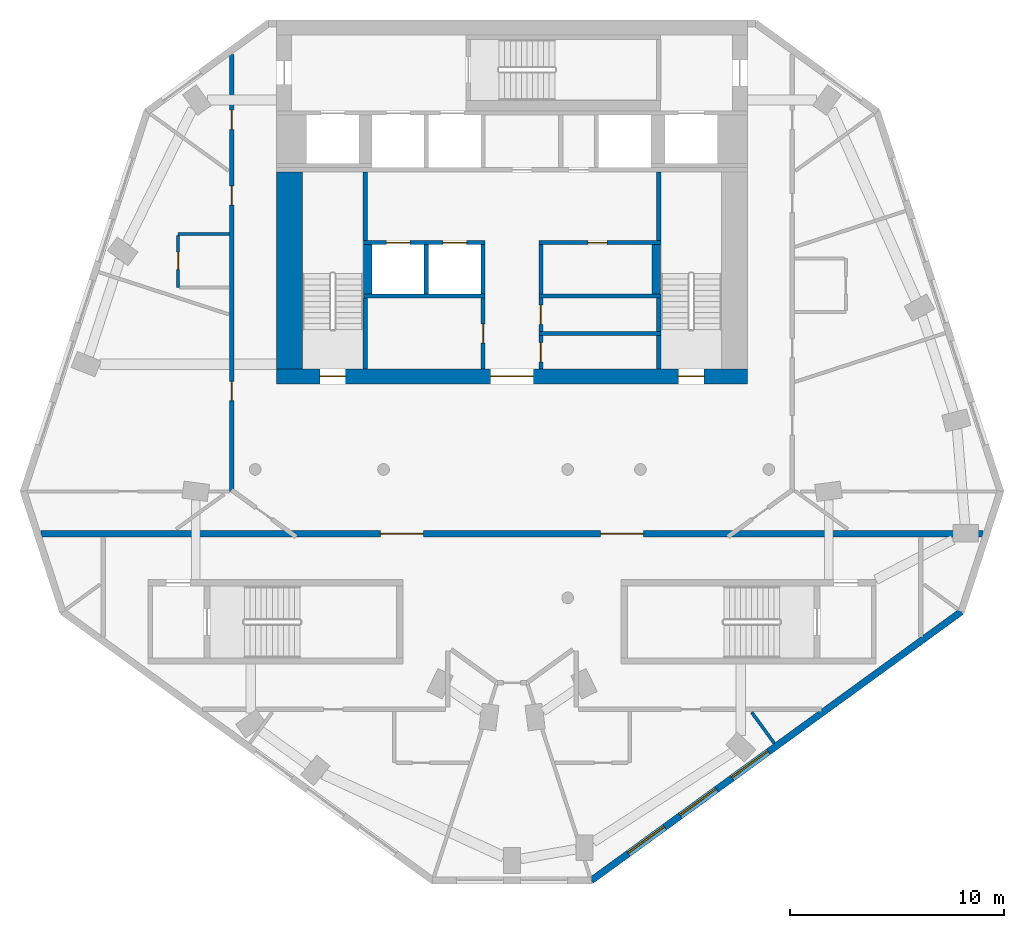
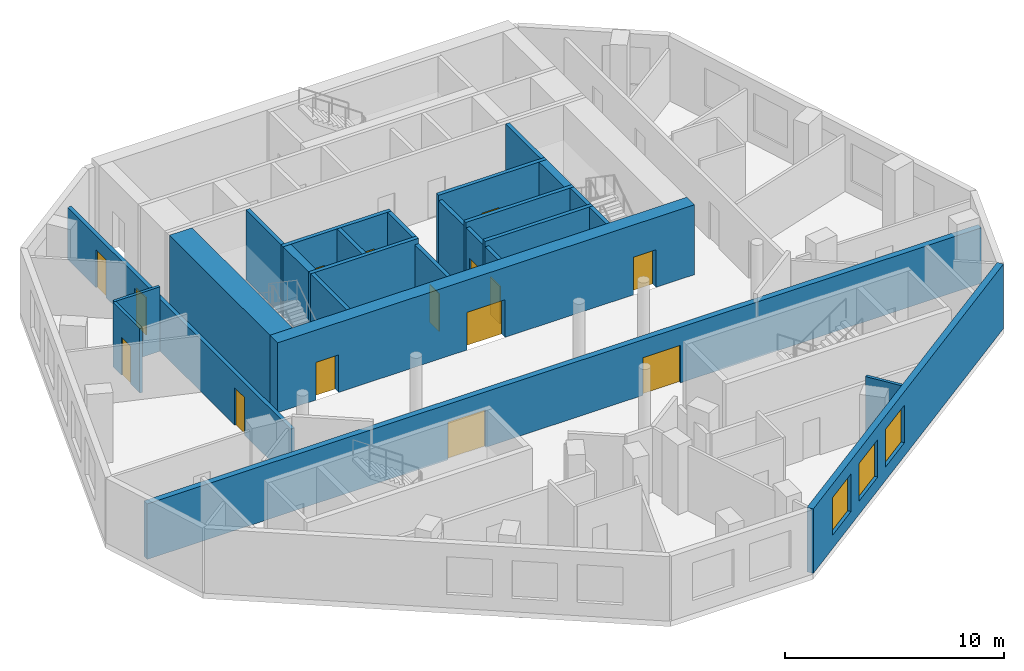
# One storey, part 3 of 8: 26 walls, 15 doors, 3 windows, 18 openings.
"""IFC4 building model written with IfcOpenShell, lengths in metres."""

from ifc_helpers import new_model, si_unit, direction, frame, frame_2d, origin, place, context, subcontext, project, spatial, rectangle, extrude, material, layer, layer_set, type_object, element, fill, save


model = new_model("IFC4")

# Units and contexts
model_context = context("Model", 3, precision=1e-05, world=origin(), true_north=direction((0.0, 1.0)))
body_context = subcontext(model_context, "Body", "Model", "MODEL_VIEW")
ifc_project = project(units=[si_unit("LENGTHUNIT", "METRE"), si_unit("AREAUNIT", "SQUARE_METRE"), si_unit("VOLUMEUNIT", "CUBIC_METRE"), si_unit("PLANEANGLEUNIT", "RADIAN"), si_unit("MASSUNIT", "GRAM", prefix="KILO")], contexts=[model_context])

# Site, building, storey
site_placement = place(None, origin())
site = spatial("IfcSite", under=ifc_project, at=site_placement, CompositionType="ELEMENT")
building_placement = place(site_placement, origin())
building = spatial("IfcBuilding", under=site, at=building_placement, Name="White Candle Pilgrim Tower", CompositionType="ELEMENT")
storey_placement = place(building_placement, frame((0.0, 0.0, 287.300048828125)))
storey = spatial("IfcBuildingStorey", under=building, at=storey_placement, Name="L68", CompositionType="ELEMENT", Elevation=287.300048828125)

# Wall, openings, doors
ifc_material_1 = material(Name="Gypsum board on steel studs", Category="steel")
ifc_layer_1 = layer(ifc_material_1, 0.199951171875)
ifc_layer_set_1 = layer_set([ifc_layer_1], Name="Corridor wall 200 mm EI 45")
wall_type_1 = type_object("IfcWallType", Name="Corridor wall 200 mm EI 45", PredefinedType="PARTITIONING", material=ifc_layer_set_1)
wall_1_placement = place(storey_placement, frame((56.89990234375, 65.97998046875, 0.0), z_axis=(0.0, 0.0, 1.0), x_axis=(0.0, 1.0, 0.0)))
wall_1 = element("IfcWall", 1, at=wall_1_placement, inside=storey, type_object=wall_type_1, Name="WL-L68-P004", PredefinedType="PARTITIONING", context=body_context, shape_type="SweptSolid", body=[
    extrude(rectangle(XDim=20.416259765625, YDim=0.199951171875, at=frame_2d((10.2080078125, 0.0))), origin(), (0.0, 0.0, 1.0), 2.89990234375),
])
opening_1_placement = place(wall_1_placement, frame((4.241455078125, 0.0, 0.0)))
opening_1 = element("IfcOpeningElement", 2, at=opening_1_placement, cuts=wall_1, Name="Opening T21-110", PredefinedType="OPENING", context=body_context, shape_type="SweptSolid", body=[
    extrude(rectangle(XDim=0.89990234375, YDim=2.10009765625, at=frame_2d((0.449951171875, 1.050048828125))), frame((0.0, 0.10986328125, 0.0), z_axis=(0.0, -1.0, 0.0), x_axis=(1.0, 0.0, 0.0)), (0.0, 0.0, 1.0), 0.219970703125),
])
opening_2_placement = place(wall_1_placement, frame((13.373779296875, 0.0, 0.0)))
opening_2 = element("IfcOpeningElement", 3, at=opening_2_placement, cuts=wall_1, Name="Opening T21-111", PredefinedType="OPENING", context=body_context, shape_type="SweptSolid", body=[
    extrude(rectangle(XDim=0.89990234375, YDim=2.10009765625, at=frame_2d((0.449951171875, 1.050048828125))), frame((0.0, 0.10986328125, 0.0), z_axis=(0.0, -1.0, 0.0), x_axis=(1.0, 0.0, 0.0)), (0.0, 0.0, 1.0), 0.219970703125),
])
opening_3_placement = place(wall_1_placement, frame((16.90380859375, 0.0, 0.0)))
opening_3 = element("IfcOpeningElement", 4, at=opening_3_placement, cuts=wall_1, Name="Opening T21-112", PredefinedType="OPENING", context=body_context, shape_type="SweptSolid", body=[
    extrude(rectangle(XDim=0.89990234375, YDim=2.10009765625, at=frame_2d((0.449951171875, 1.050048828125))), frame((0.0, 0.10986328125, 0.0), z_axis=(0.0, -1.0, 0.0), x_axis=(1.0, 0.0, 0.0)), (0.0, 0.0, 1.0), 0.219970703125),
])
ifc_material_2 = material(Name="Steel door leaf", Category="steel")
door_type_1 = type_object("IfcDoorType", Name="Fire door 900 x 2100 EI 30", OperationType="NOTDEFINED", PredefinedType="DOOR", material=ifc_material_2)
door_1_placement = place(opening_1_placement, origin())
door_1 = element("IfcDoor", 5, at=door_1_placement, inside=storey, type_object=door_type_1, Name="Door T21-110", OperationType="SINGLE_SWING_RIGHT", OverallHeight=2.10009765625, OverallWidth=0.89990234375, PredefinedType="DOOR", context=body_context, shape_type="SweptSolid", body=[
    extrude(rectangle(XDim=0.89990234375, YDim=2.10009765625, at=frame_2d((0.449951171875, 1.050048828125))), frame((0.0, 0.02490234375, 0.0), z_axis=(0.0, -1.0, 0.0), x_axis=(1.0, 0.0, 0.0)), (0.0, 0.0, 1.0), 0.050048828125),
])
fill(opening_1, door_1)
door_2_placement = place(opening_2_placement, origin())
door_2 = element("IfcDoor", 6, at=door_2_placement, inside=storey, type_object=door_type_1, Name="Door T21-111", OperationType="SINGLE_SWING_LEFT", OverallHeight=2.10009765625, OverallWidth=0.89990234375, PredefinedType="DOOR", context=body_context, shape_type="SweptSolid", body=[
    extrude(rectangle(XDim=0.89990234375, YDim=2.10009765625, at=frame_2d((0.449951171875, 1.050048828125))), frame((0.0, 0.02490234375, 0.0), z_axis=(0.0, -1.0, 0.0), x_axis=(1.0, 0.0, 0.0)), (0.0, 0.0, 1.0), 0.050048828125),
])
fill(opening_2, door_2)
door_3_placement = place(opening_3_placement, origin())
door_3 = element("IfcDoor", 7, at=door_3_placement, inside=storey, type_object=door_type_1, Name="Door T21-112", OperationType="SINGLE_SWING_RIGHT", OverallHeight=2.10009765625, OverallWidth=0.89990234375, PredefinedType="DOOR", context=body_context, shape_type="SweptSolid", body=[
    extrude(rectangle(XDim=0.89990234375, YDim=2.10009765625, at=frame_2d((0.449951171875, 1.050048828125))), frame((0.0, 0.02490234375, 0.0), z_axis=(0.0, -1.0, 0.0), x_axis=(1.0, 0.0, 0.0)), (0.0, 0.0, 1.0), 0.050048828125),
])
fill(opening_3, door_3)

# Wall, openings, windows
ifc_material_3 = material(Name="Precast concrete C40/50", Category="concrete")
ifc_layer_2 = layer(ifc_material_3, 0.320068359375)
ifc_layer_set_2 = layer_set([ifc_layer_2], Name="Facade wall EW1 precast concrete C40/50 pier wall with timber-lined reveals")
wall_type_2 = type_object("IfcWallType", Name="Facade wall EW1 precast concrete C40/50 pier wall with timber-lined reveals", PredefinedType="SOLIDWALL", material=ifc_layer_set_2)
wall_2_placement = place(storey_placement, frame((73.705078125, 47.7939453125, 0.0), z_axis=(0.0, 0.0, 1.0), x_axis=(0.809019072803, 0.58778239157, 0.0)))
wall_2 = element("IfcWall", 8, at=wall_2_placement, inside=storey, type_object=wall_type_2, Name="Facade wall L68 SE", PredefinedType="SOLIDWALL", context=body_context, shape_type="SweptSolid", body=[
    extrude(rectangle(XDim=21.369873046875, YDim=0.320068359375, at=frame_2d((10.68505859375, 0.0))), origin(), (0.0, 0.0, 1.0), 3.599853515625),
])
opening_4_placement = place(wall_2_placement, frame((2.135009765625, 0.0, 0.75)))
opening_4 = element("IfcOpeningElement", 9, at=opening_4_placement, cuts=wall_2, Name="Opening W3", PredefinedType="OPENING", context=body_context, shape_type="SweptSolid", body=[
    extrude(rectangle(XDim=2.10009765625, YDim=2.10009765625, at=frame_2d((1.050048828125, 1.050048828125))), frame((0.0, 0.169921875, 0.0), z_axis=(0.0, -1.0, 0.0), x_axis=(1.0, 0.0, 0.0)), (0.0, 0.0, 1.0), 0.340087890625),
])
opening_5_placement = place(wall_2_placement, frame((5.135009765625, 0.0, 0.75)))
opening_5 = element("IfcOpeningElement", 10, at=opening_5_placement, cuts=wall_2, Name="Opening W3", PredefinedType="OPENING", context=body_context, shape_type="SweptSolid", body=[
    extrude(rectangle(XDim=2.10009765625, YDim=2.10009765625, at=frame_2d((1.050048828125, 1.050048828125))), frame((0.0, 0.169921875, 0.0), z_axis=(0.0, -1.0, 0.0), x_axis=(1.0, 0.0, 0.0)), (0.0, 0.0, 1.0), 0.340087890625),
])
opening_6_placement = place(wall_2_placement, frame((8.135009765625, 0.0, 0.75)))
opening_6 = element("IfcOpeningElement", 11, at=opening_6_placement, cuts=wall_2, Name="Opening W3", PredefinedType="OPENING", context=body_context, shape_type="SweptSolid", body=[
    extrude(rectangle(XDim=2.10009765625, YDim=2.10009765625, at=frame_2d((1.050048828125, 1.050048828125))), frame((0.0, 0.169921875, 0.0), z_axis=(0.0, -1.0, 0.0), x_axis=(1.0, 0.0, 0.0)), (0.0, 0.0, 1.0), 0.340087890625),
])
ifc_material_4 = material(Name="Timber frame with triple glazing", Category="wood")
window_type = type_object("IfcWindowType", Name="Window W3 2100x2100 timber frame triple glazing", PartitioningType="SINGLE_PANEL", PredefinedType="WINDOW", material=ifc_material_4)
window_1_placement = place(opening_4_placement, origin())
window_1 = element("IfcWindow", 12, at=window_1_placement, inside=storey, type_object=window_type, Name="Window W3 L68 SE 1", OverallHeight=2.10009765625, OverallWidth=2.10009765625, PartitioningType="SINGLE_PANEL", PredefinedType="WINDOW", context=body_context, shape_type="SweptSolid", body=[
    extrude(rectangle(XDim=2.10009765625, YDim=2.10009765625, at=frame_2d((1.050048828125, 1.050048828125))), frame((0.0, 0.070068359375, 0.0), z_axis=(0.0, -1.0, 0.0), x_axis=(1.0, 0.0, 0.0)), (0.0, 0.0, 1.0), 0.06005859375),
])
fill(opening_4, window_1)
window_2_placement = place(opening_5_placement, origin())
window_2 = element("IfcWindow", 13, at=window_2_placement, inside=storey, type_object=window_type, Name="Window W3 L68 SE 2", OverallHeight=2.10009765625, OverallWidth=2.10009765625, PartitioningType="SINGLE_PANEL", PredefinedType="WINDOW", context=body_context, shape_type="SweptSolid", body=[
    extrude(rectangle(XDim=2.10009765625, YDim=2.10009765625, at=frame_2d((1.050048828125, 1.050048828125))), frame((0.0, 0.070068359375, 0.0), z_axis=(0.0, -1.0, 0.0), x_axis=(1.0, 0.0, 0.0)), (0.0, 0.0, 1.0), 0.06005859375),
])
fill(opening_5, window_2)
window_3_placement = place(opening_6_placement, origin())
window_3 = element("IfcWindow", 14, at=window_3_placement, inside=storey, type_object=window_type, Name="Window W3 L68 SE 3", OverallHeight=2.10009765625, OverallWidth=2.10009765625, PartitioningType="SINGLE_PANEL", PredefinedType="WINDOW", context=body_context, shape_type="SweptSolid", body=[
    extrude(rectangle(XDim=2.10009765625, YDim=2.10009765625, at=frame_2d((1.050048828125, 1.050048828125))), frame((0.0, 0.070068359375, 0.0), z_axis=(0.0, -1.0, 0.0), x_axis=(1.0, 0.0, 0.0)), (0.0, 0.0, 1.0), 0.06005859375),
])
fill(opening_6, window_3)

# Wall, openings, doors
ifc_material_5 = material(Name="Aerated concrete block", Category="concrete")
ifc_layer_3 = layer(ifc_material_5, 0.300048828125)
ifc_layer_set_3 = layer_set([ifc_layer_3], Name="Fire wall 300 mm REI 240")
wall_type_3 = type_object("IfcWallType", Name="Fire wall 300 mm REI 240", PredefinedType="PARTITIONING", material=ifc_layer_set_3)
wall_3_placement = place(storey_placement, frame((47.990234375, 64.0, 0.0), z_axis=(0.0, 0.0, 1.0), x_axis=(1.0, 0.0, 0.0)))
wall_3 = element("IfcWall", 15, at=wall_3_placement, inside=storey, type_object=wall_type_3, Name="WL-L68-P001", PredefinedType="PARTITIONING", context=body_context, shape_type="SweptSolid", body=[
    extrude(rectangle(XDim=44.01953125, YDim=0.300048828125, at=frame_2d((22.009765625, 0.0))), origin(), (0.0, 0.0, 1.0), 3.099853515625),
])
opening_7_placement = place(wall_3_placement, frame((15.864501953125, 0.0, 0.0)))
opening_7 = element("IfcOpeningElement", 16, at=opening_7_placement, cuts=wall_3, Name="Opening T21-108", PredefinedType="OPENING", context=body_context, shape_type="SweptSolid", body=[
    extrude(rectangle(XDim=2.0, YDim=2.10009765625, at=frame_2d((1.0, 1.050048828125))), frame((0.0, 0.159912109375, 0.0), z_axis=(0.0, -1.0, 0.0), x_axis=(1.0, 0.0, 0.0)), (0.0, 0.0, 1.0), 0.320068359375),
])
opening_8_placement = place(wall_3_placement, frame((26.1552734375, 0.0, 0.0)))
opening_8 = element("IfcOpeningElement", 17, at=opening_8_placement, cuts=wall_3, Name="Opening T21-109", PredefinedType="OPENING", context=body_context, shape_type="SweptSolid", body=[
    extrude(rectangle(XDim=2.0, YDim=2.10009765625, at=frame_2d((1.0, 1.050048828125))), frame((0.0, 0.159912109375, 0.0), z_axis=(0.0, -1.0, 0.0), x_axis=(1.0, 0.0, 0.0)), (0.0, 0.0, 1.0), 0.320068359375),
])
door_type_2 = type_object("IfcDoorType", Name="Fire door 2000 x 2100 EI 60", OperationType="NOTDEFINED", PredefinedType="DOOR", material=ifc_material_2)
door_4_placement = place(opening_7_placement, origin())
door_4 = element("IfcDoor", 18, at=door_4_placement, inside=storey, type_object=door_type_2, Name="Door T21-108", OperationType="DOUBLE_DOOR_SINGLE_SWING", OverallHeight=2.10009765625, OverallWidth=2.0, PredefinedType="DOOR", context=body_context, shape_type="SweptSolid", body=[
    extrude(rectangle(XDim=2.0, YDim=2.10009765625, at=frame_2d((1.0, 1.050048828125))), frame((0.0, 0.02490234375, 0.0), z_axis=(0.0, -1.0, 0.0), x_axis=(1.0, 0.0, 0.0)), (0.0, 0.0, 1.0), 0.050048828125),
])
fill(opening_7, door_4)
door_5_placement = place(opening_8_placement, origin())
door_5 = element("IfcDoor", 19, at=door_5_placement, inside=storey, type_object=door_type_2, Name="Door T21-109", OperationType="DOUBLE_DOOR_SINGLE_SWING", OverallHeight=2.10009765625, OverallWidth=2.0, PredefinedType="DOOR", context=body_context, shape_type="SweptSolid", body=[
    extrude(rectangle(XDim=2.0, YDim=2.10009765625, at=frame_2d((1.0, 1.050048828125))), frame((0.0, 0.02490234375, 0.0), z_axis=(0.0, -1.0, 0.0), x_axis=(1.0, 0.0, 0.0)), (0.0, 0.0, 1.0), 0.050048828125),
])
fill(opening_8, door_5)

# Wall, opening, door
ifc_layer_4 = layer(ifc_material_1, 0.199951171875)
ifc_layer_set_4 = layer_set([ifc_layer_4], Name="Lobby wall 200 mm EI 60")
wall_type_4 = type_object("IfcWallType", Name="Lobby wall 200 mm EI 60", PredefinedType="PARTITIONING", material=ifc_layer_set_4)
wall_4_placement = place(storey_placement, frame((68.64990234375, 71.699951171875, 0.0), z_axis=(0.0, 0.0, 1.0), x_axis=(0.0, 1.0, 0.0)))
wall_4 = element("IfcWall", 20, at=wall_4_placement, inside=storey, type_object=wall_type_4, Name="WL-L68-C14", PredefinedType="PARTITIONING", context=body_context, shape_type="SweptSolid", body=[
    extrude(rectangle(XDim=3.300048828125, YDim=0.199951171875, at=frame_2d((1.64990234375, 0.0))), origin(), (0.0, 0.0, 1.0), 3.599853515625),
])
opening_9_placement = place(wall_4_placement, frame((1.199951171875, 0.0, 0.0)))
opening_9 = element("IfcOpeningElement", 21, at=opening_9_placement, cuts=wall_4, Name="Opening T21-005", PredefinedType="OPENING", context=body_context, shape_type="SweptSolid", body=[
    extrude(rectangle(XDim=0.89990234375, YDim=2.10009765625, at=frame_2d((0.449951171875, 1.050048828125))), frame((0.0, 0.10986328125, 0.0), z_axis=(0.0, -1.0, 0.0), x_axis=(1.0, 0.0, 0.0)), (0.0, 0.0, 1.0), 0.219970703125),
])
door_6_placement = place(opening_9_placement, origin())
door_6 = element("IfcDoor", 22, at=door_6_placement, inside=storey, type_object=door_type_1, Name="Door T21-005", OperationType="SINGLE_SWING_LEFT", OverallHeight=2.10009765625, OverallWidth=0.89990234375, PredefinedType="DOOR", context=body_context, shape_type="SweptSolid", body=[
    extrude(rectangle(XDim=0.89990234375, YDim=2.10009765625, at=frame_2d((0.449951171875, 1.050048828125))), frame((0.0, 0.02490234375, 0.0), z_axis=(0.0, -1.0, 0.0), x_axis=(1.0, 0.0, 0.0)), (0.0, 0.0, 1.0), 0.050048828125),
])
fill(opening_9, door_6)

wall_5_placement = place(storey_placement, frame((71.35009765625, 71.699951171875, 0.0), z_axis=(0.0, 0.0, 1.0), x_axis=(0.0, 1.0, 0.0)))
wall_5 = element("IfcWall", 23, at=wall_5_placement, inside=storey, type_object=wall_type_4, Name="WL-L68-C15", PredefinedType="PARTITIONING", context=body_context, shape_type="SweptSolid", body=[
    extrude(rectangle(XDim=1.550048828125, YDim=0.199951171875, at=frame_2d((0.77490234375, 0.0))), origin(), (0.0, 0.0, 1.0), 3.599853515625),
])
opening_10_placement = place(wall_5_placement, frame((0.324951171875, 0.0, 0.0)))
opening_10 = element("IfcOpeningElement", 24, at=opening_10_placement, cuts=wall_5, Name="Opening T21-006", PredefinedType="OPENING", context=body_context, shape_type="SweptSolid", body=[
    extrude(rectangle(XDim=0.89990234375, YDim=2.10009765625, at=frame_2d((0.449951171875, 1.050048828125))), frame((0.0, 0.10986328125, 0.0), z_axis=(0.0, -1.0, 0.0), x_axis=(1.0, 0.0, 0.0)), (0.0, 0.0, 1.0), 0.219970703125),
])
door_7_placement = place(opening_10_placement, origin())
door_7 = element("IfcDoor", 25, at=door_7_placement, inside=storey, type_object=door_type_1, Name="Door T21-006", OperationType="SINGLE_SWING_RIGHT", OverallHeight=2.10009765625, OverallWidth=0.89990234375, PredefinedType="DOOR", context=body_context, shape_type="SweptSolid", body=[
    extrude(rectangle(XDim=0.89990234375, YDim=2.10009765625, at=frame_2d((0.449951171875, 1.050048828125))), frame((0.0, 0.02490234375, 0.0), z_axis=(0.0, -1.0, 0.0), x_axis=(1.0, 0.0, 0.0)), (0.0, 0.0, 1.0), 0.050048828125),
])
fill(opening_10, door_7)

wall_6_placement = place(storey_placement, frame((71.35009765625, 73.449951171875, 0.0), z_axis=(0.0, 0.0, 1.0), x_axis=(0.0, 1.0, 0.0)))
wall_6 = element("IfcWall", 26, at=wall_6_placement, inside=storey, type_object=wall_type_4, Name="WL-L68-C19", PredefinedType="PARTITIONING", context=body_context, shape_type="SweptSolid", body=[
    extrude(rectangle(XDim=1.550048828125, YDim=0.199951171875, at=frame_2d((0.77490234375, 0.0))), origin(), (0.0, 0.0, 1.0), 3.599853515625),
])
opening_11_placement = place(wall_6_placement, frame((0.324951171875, 0.0, 0.0)))
opening_11 = element("IfcOpeningElement", 27, at=opening_11_placement, cuts=wall_6, Name="Opening T21-007", PredefinedType="OPENING", context=body_context, shape_type="SweptSolid", body=[
    extrude(rectangle(XDim=0.89990234375, YDim=2.10009765625, at=frame_2d((0.449951171875, 1.050048828125))), frame((0.0, 0.10986328125, 0.0), z_axis=(0.0, -1.0, 0.0), x_axis=(1.0, 0.0, 0.0)), (0.0, 0.0, 1.0), 0.219970703125),
])
door_8_placement = place(opening_11_placement, origin())
door_8 = element("IfcDoor", 28, at=door_8_placement, inside=storey, type_object=door_type_1, Name="Door T21-007", OperationType="SINGLE_SWING_LEFT", OverallHeight=2.10009765625, OverallWidth=0.89990234375, PredefinedType="DOOR", context=body_context, shape_type="SweptSolid", body=[
    extrude(rectangle(XDim=0.89990234375, YDim=2.10009765625, at=frame_2d((0.449951171875, 1.050048828125))), frame((0.0, 0.02490234375, 0.0), z_axis=(0.0, -1.0, 0.0), x_axis=(1.0, 0.0, 0.0)), (0.0, 0.0, 1.0), 0.050048828125),
])
fill(opening_11, door_8)

# Walls
wall_7_placement = place(storey_placement, frame((71.35009765625, 75.199951171875, 0.0), z_axis=(0.0, 0.0, 1.0), x_axis=(0.0, 1.0, 0.0)))
element("IfcWall", 29, at=wall_7_placement, inside=storey, type_object=wall_type_4, Name="WL-L68-C26", PredefinedType="PARTITIONING", context=body_context, shape_type="SweptSolid", body=[
    extrude(rectangle(XDim=2.300048828125, YDim=0.199951171875, at=frame_2d((1.14990234375, 0.0))), origin(), (0.0, 0.0, 1.0), 3.599853515625),
])
ifc_layer_5 = layer(ifc_material_1, 0.14990234375)
ifc_layer_set_5 = layer_set([ifc_layer_5], Name="Partition 150 mm EI 60")
wall_type_5 = type_object("IfcWallType", Name="Partition 150 mm EI 60", PredefinedType="PARTITIONING", material=ifc_layer_set_5)
wall_8_placement = place(storey_placement, frame((56.800048828125, 78.004150390625, 0.0), z_axis=(0.0, 0.0, 1.0), x_axis=(-1.0, 0.0, 0.0)))
element("IfcWall", 30, at=wall_8_placement, inside=storey, type_object=wall_type_5, Name="WL-L68-P026", PredefinedType="PARTITIONING", context=body_context, shape_type="SweptSolid", body=[
    extrude(rectangle(XDim=2.400146484375, YDim=0.14990234375, at=frame_2d((1.2001953125, 0.0))), origin(), (0.0, 0.0, 1.0), 3.599853515625),
])

# Wall, opening, door
wall_9_placement = place(storey_placement, frame((54.39990234375, 75.504150390625, 0.0), z_axis=(0.0, 0.0, 1.0), x_axis=(0.0, 1.0, 0.0)))
wall_9 = element("IfcWall", 31, at=wall_9_placement, inside=storey, type_object=wall_type_5, Name="WL-L68-P027", PredefinedType="PARTITIONING", context=body_context, shape_type="SweptSolid", body=[
    extrude(rectangle(XDim=2.425048828125, YDim=0.14990234375, at=frame_2d((1.21240234375, 0.0))), origin(), (0.0, 0.0, 1.0), 3.599853515625),
])
opening_12_placement = place(wall_9_placement, frame((0.85009765625, 0.0, 0.0)))
opening_12 = element("IfcOpeningElement", 32, at=opening_12_placement, cuts=wall_9, Name="Opening T21-101", PredefinedType="OPENING", context=body_context, shape_type="SweptSolid", body=[
    extrude(rectangle(XDim=0.800048828125, YDim=2.10009765625, at=frame_2d((0.39990234375, 1.050048828125))), frame((0.0, 0.0849609375, 0.0), z_axis=(0.0, -1.0, 0.0), x_axis=(1.0, 0.0, 0.0)), (0.0, 0.0, 1.0), 0.169921875),
])
door_type_3 = type_object("IfcDoorType", Name="Fire door 800 x 2100 EI 30", OperationType="NOTDEFINED", PredefinedType="DOOR", material=ifc_material_2)
door_9_placement = place(opening_12_placement, origin())
door_9 = element("IfcDoor", 33, at=door_9_placement, inside=storey, type_object=door_type_3, Name="Door T21-101", OperationType="SINGLE_SWING_LEFT", OverallHeight=2.10009765625, OverallWidth=0.800048828125, PredefinedType="DOOR", context=body_context, shape_type="SweptSolid", body=[
    extrude(rectangle(XDim=0.800048828125, YDim=2.10009765625, at=frame_2d((0.39990234375, 1.050048828125))), frame((0.0, 0.02490234375, 0.0), z_axis=(0.0, -1.0, 0.0), x_axis=(1.0, 0.0, 0.0)), (0.0, 0.0, 1.0), 0.050048828125),
])
fill(opening_12, door_9)

# Walls
wall_10_placement = place(storey_placement, frame((82.25537109375, 54.20361328125, 0.0), z_axis=(0.0, 0.0, 1.0), x_axis=(-0.58776731683, 0.809030024947, 0.0)))
element("IfcWall", 34, at=wall_10_placement, inside=storey, type_object=wall_type_5, Name="WL-L68-P032", PredefinedType="PARTITIONING", context=body_context, shape_type="SweptSolid", body=[
    extrude(rectangle(XDim=1.795166015625, YDim=0.14990234375, at=frame_2d((0.8974609375, 0.0))), origin(), (0.0, 0.0, 1.0), 3.599853515625),
])
ifc_material_6 = material(Name="Concrete C50/60", Category="concrete")
ifc_layer_6 = layer(ifc_material_6, 0.199951171875)
ifc_layer_set_6 = layer_set([ifc_layer_6], Name="Shaft wall 200 mm Concrete C50/60")
wall_type_6 = type_object("IfcWallType", Name="Shaft wall 200 mm Concrete C50/60", PredefinedType="SHEAR", material=ifc_layer_set_6)
for number, where, z_axis, x_axis, name in (
    (35, (66.0, 75.199951171875, 0.0), (0.0, 0.0, 1.0), (0.0, 1.0, 0.0), "WL-L68-C24"),
    (36, (68.64990234375, 75.199951171875, 0.0), (0.0, 0.0, 1.0), (0.0, 1.0, 0.0), "WL-L68-C25"),
):
    element("IfcWall", number, at=place(storey_placement, frame(where, z_axis=z_axis, x_axis=x_axis)), inside=storey, type_object=wall_type_6, Name=name, PredefinedType="SHEAR", context=body_context, shape_type="SweptSolid", body=[
        extrude(rectangle(XDim=2.300048828125, YDim=0.199951171875, at=frame_2d((1.14990234375, 0.0))), origin(), (0.0, 0.0, 1.0), 3.89990234375),
    ])
ifc_layer_7 = layer(ifc_material_6, 1.199951171875)
ifc_layer_set_7 = layer_set([ifc_layer_7], Name="Stair shaft wall 1200 mm Concrete C50/60")
wall_type_7 = type_object("IfcWallType", Name="Stair shaft wall 1200 mm Concrete C50/60", PredefinedType="SHEAR", material=ifc_layer_set_7)
wall_11_placement = place(storey_placement, frame((59.60009765625, 71.699951171875, 0.0), z_axis=(0.0, 0.0, 1.0), x_axis=(0.0, 1.0, 0.0)))
element("IfcWall", 37, at=wall_11_placement, inside=storey, type_object=wall_type_7, Name="WL-L68-C12", PredefinedType="SHEAR", context=body_context, shape_type="SweptSolid", body=[
    extrude(rectangle(XDim=9.199951171875, YDim=1.199951171875, at=frame_2d((4.60009765625, 0.0))), origin(), (0.0, 0.0, 1.0), 3.89990234375),
])
ifc_layer_8 = layer(ifc_material_6, 0.199951171875)
ifc_layer_set_8 = layer_set([ifc_layer_8], Name="Stair shaft wall 200 mm Concrete C50/60")
wall_type_8 = type_object("IfcWallType", Name="Stair shaft wall 200 mm Concrete C50/60", PredefinedType="SHEAR", material=ifc_layer_set_8)
wall_12_placement = place(storey_placement, frame((63.14990234375, 71.699951171875, 0.0), z_axis=(0.0, 0.0, 1.0), x_axis=(0.0, 1.0, 0.0)))
element("IfcWall", 38, at=wall_12_placement, inside=storey, type_object=wall_type_8, Name="WL-L68-C13", PredefinedType="SHEAR", context=body_context, shape_type="SweptSolid", body=[
    extrude(rectangle(XDim=3.300048828125, YDim=0.199951171875, at=frame_2d((1.64990234375, 0.0))), origin(), (0.0, 0.0, 1.0), 3.89990234375),
])
wall_13_placement = place(storey_placement, frame((76.85009765625, 71.699951171875, 0.0), z_axis=(0.0, 0.0, 1.0), x_axis=(0.0, 1.0, 0.0)))
element("IfcWall", 39, at=wall_13_placement, inside=storey, type_object=wall_type_8, Name="WL-L68-C16", PredefinedType="SHEAR", context=body_context, shape_type="SweptSolid", body=[
    extrude(rectangle(XDim=1.550048828125, YDim=0.199951171875, at=frame_2d((0.77490234375, 0.0))), origin(), (0.0, 0.0, 1.0), 3.89990234375),
])
wall_14_placement = place(storey_placement, frame((71.25, 73.35009765625, 0.0), z_axis=(0.0, 0.0, 1.0), x_axis=(1.0, 0.0, 0.0)))
element("IfcWall", 40, at=wall_14_placement, inside=storey, type_object=wall_type_8, Name="WL-L68-C18", PredefinedType="SHEAR", context=body_context, shape_type="SweptSolid", body=[
    extrude(rectangle(XDim=5.699951171875, YDim=0.199951171875, at=frame_2d((2.85009765625, 0.0))), origin(), (0.0, 0.0, 1.0), 3.89990234375),
])
wall_15_placement = place(storey_placement, frame((76.85009765625, 73.449951171875, 0.0), z_axis=(0.0, 0.0, 1.0), x_axis=(0.0, 1.0, 0.0)))
element("IfcWall", 41, at=wall_15_placement, inside=storey, type_object=wall_type_8, Name="WL-L68-C20", PredefinedType="SHEAR", context=body_context, shape_type="SweptSolid", body=[
    extrude(rectangle(XDim=1.550048828125, YDim=0.199951171875, at=frame_2d((0.77490234375, 0.0))), origin(), (0.0, 0.0, 1.0), 3.89990234375),
])
for number, where, z_axis, x_axis, name in (
    (42, (63.050048828125, 75.10009765625, 0.0), (0.0, 0.0, 1.0), (1.0, 0.0, 0.0), "WL-L68-C21"),
    (43, (71.25, 75.10009765625, 0.0), (0.0, 0.0, 1.0), (1.0, 0.0, 0.0), "WL-L68-C22"),
):
    element("IfcWall", number, at=place(storey_placement, frame(where, z_axis=z_axis, x_axis=x_axis)), inside=storey, type_object=wall_type_8, Name=name, PredefinedType="SHEAR", context=body_context, shape_type="SweptSolid", body=[
        extrude(rectangle(XDim=5.699951171875, YDim=0.199951171875, at=frame_2d((2.85009765625, 0.0))), origin(), (0.0, 0.0, 1.0), 3.89990234375),
    ])

# Wall, openings, doors
wall_16_placement = place(storey_placement, frame((63.050048828125, 77.60009765625, 0.0), z_axis=(0.0, 0.0, 1.0), x_axis=(1.0, 0.0, 0.0)))
wall_16 = element("IfcWall", 44, at=wall_16_placement, inside=storey, type_object=wall_type_8, Name="WL-L68-C28", PredefinedType="SHEAR", context=body_context, shape_type="SweptSolid", body=[
    extrude(rectangle(XDim=5.699951171875, YDim=0.199951171875, at=frame_2d((2.85009765625, 0.0))), origin(), (0.0, 0.0, 1.0), 3.89990234375),
])
opening_13_placement = place(wall_16_placement, frame((1.074951171875, 0.0, 0.0)))
opening_13 = element("IfcOpeningElement", 45, at=opening_13_placement, cuts=wall_16, Name="Opening T21-014", PredefinedType="OPENING", context=body_context, shape_type="SweptSolid", body=[
    extrude(rectangle(XDim=1.10009765625, YDim=2.10009765625, at=frame_2d((0.550048828125, 1.050048828125))), frame((0.0, 0.10986328125, 0.0), z_axis=(0.0, -1.0, 0.0), x_axis=(1.0, 0.0, 0.0)), (0.0, 0.0, 1.0), 0.219970703125),
])
opening_14_placement = place(wall_16_placement, frame((3.72509765625, 0.0, 0.0)))
opening_14 = element("IfcOpeningElement", 46, at=opening_14_placement, cuts=wall_16, Name="Opening T21-015", PredefinedType="OPENING", context=body_context, shape_type="SweptSolid", body=[
    extrude(rectangle(XDim=1.10009765625, YDim=2.10009765625, at=frame_2d((0.550048828125, 1.050048828125))), frame((0.0, 0.10986328125, 0.0), z_axis=(0.0, -1.0, 0.0), x_axis=(1.0, 0.0, 0.0)), (0.0, 0.0, 1.0), 0.219970703125),
])
ifc_material_7 = material(Name="Stainless steel", Category="steel")
door_type_4 = type_object("IfcDoorType", Name="Lift landing door 1100 x 2100 E 60", OperationType="DOUBLE_DOOR_SLIDING", PredefinedType="DOOR", material=ifc_material_7)
door_10_placement = place(opening_13_placement, origin())
door_10 = element("IfcDoor", 47, at=door_10_placement, inside=storey, type_object=door_type_4, Name="Door T21-014", OperationType="DOUBLE_DOOR_SLIDING", OverallHeight=2.10009765625, OverallWidth=1.10009765625, PredefinedType="DOOR", context=body_context, shape_type="SweptSolid", body=[
    extrude(rectangle(XDim=1.10009765625, YDim=2.10009765625, at=frame_2d((0.550048828125, 1.050048828125))), frame((0.0, 0.02490234375, 0.0), z_axis=(0.0, -1.0, 0.0), x_axis=(1.0, 0.0, 0.0)), (0.0, 0.0, 1.0), 0.050048828125),
])
fill(opening_13, door_10)
door_11_placement = place(opening_14_placement, origin())
door_11 = element("IfcDoor", 48, at=door_11_placement, inside=storey, type_object=door_type_4, Name="Door T21-015", OperationType="DOUBLE_DOOR_SLIDING", OverallHeight=2.10009765625, OverallWidth=1.10009765625, PredefinedType="DOOR", context=body_context, shape_type="SweptSolid", body=[
    extrude(rectangle(XDim=1.10009765625, YDim=2.10009765625, at=frame_2d((0.550048828125, 1.050048828125))), frame((0.0, 0.02490234375, 0.0), z_axis=(0.0, -1.0, 0.0), x_axis=(1.0, 0.0, 0.0)), (0.0, 0.0, 1.0), 0.050048828125),
])
fill(opening_14, door_11)

# Wall, opening, door
wall_17_placement = place(storey_placement, frame((71.25, 77.60009765625, 0.0), z_axis=(0.0, 0.0, 1.0), x_axis=(1.0, 0.0, 0.0)))
wall_17 = element("IfcWall", 49, at=wall_17_placement, inside=storey, type_object=wall_type_8, Name="WL-L68-C29", PredefinedType="SHEAR", context=body_context, shape_type="SweptSolid", body=[
    extrude(rectangle(XDim=5.699951171875, YDim=0.199951171875, at=frame_2d((2.85009765625, 0.0))), origin(), (0.0, 0.0, 1.0), 3.89990234375),
])
opening_15_placement = place(wall_17_placement, frame((2.300048828125, 0.0, 0.0)))
opening_15 = element("IfcOpeningElement", 50, at=opening_15_placement, cuts=wall_17, Name="Opening T21-020", PredefinedType="OPENING", context=body_context, shape_type="SweptSolid", body=[
    extrude(rectangle(XDim=0.89990234375, YDim=2.10009765625, at=frame_2d((0.449951171875, 1.050048828125))), frame((0.0, 0.10986328125, 0.0), z_axis=(0.0, -1.0, 0.0), x_axis=(1.0, 0.0, 0.0)), (0.0, 0.0, 1.0), 0.219970703125),
])
door_12_placement = place(opening_15_placement, origin())
door_12 = element("IfcDoor", 51, at=door_12_placement, inside=storey, type_object=door_type_1, Name="Door T21-020", OperationType="SINGLE_SWING_RIGHT", OverallHeight=2.10009765625, OverallWidth=0.89990234375, PredefinedType="DOOR", context=body_context, shape_type="SweptSolid", body=[
    extrude(rectangle(XDim=0.89990234375, YDim=2.10009765625, at=frame_2d((0.449951171875, 1.050048828125))), frame((0.0, 0.02490234375, 0.0), z_axis=(0.0, -1.0, 0.0), x_axis=(1.0, 0.0, 0.0)), (0.0, 0.0, 1.0), 0.050048828125),
])
fill(opening_15, door_12)

# Walls
for number, where, z_axis, x_axis, name in (
    (52, (63.14990234375, 77.699951171875, 0.0), (0.0, 0.0, 1.0), (0.0, 1.0, 0.0), "WL-L68-C30"),
    (53, (76.85009765625, 77.699951171875, 0.0), (0.0, 0.0, 1.0), (0.0, 1.0, 0.0), "WL-L68-C31"),
):
    element("IfcWall", number, at=place(storey_placement, frame(where, z_axis=z_axis, x_axis=x_axis)), inside=storey, type_object=wall_type_8, Name=name, PredefinedType="SHEAR", context=body_context, shape_type="SweptSolid", body=[
        extrude(rectangle(XDim=3.199951171875, YDim=0.199951171875, at=frame_2d((1.60009765625, 0.0))), origin(), (0.0, 0.0, 1.0), 3.89990234375),
    ])
ifc_layer_9 = layer(ifc_material_6, 0.39990234375)
ifc_layer_set_9 = layer_set([ifc_layer_9], Name="Stair shaft wall 400 mm Concrete C50/60")
wall_type_9 = type_object("IfcWallType", Name="Stair shaft wall 400 mm Concrete C50/60", PredefinedType="SHEAR", material=ifc_layer_set_9)
for number, where, z_axis, x_axis, name in (
    (54, (63.25, 75.199951171875, 0.0), (0.0, 0.0, 1.0), (0.0, 1.0, 0.0), "WL-L68-C23"),
    (55, (76.75, 75.199951171875, 0.0), (0.0, 0.0, 1.0), (0.0, 1.0, 0.0), "WL-L68-C27"),
):
    element("IfcWall", number, at=place(storey_placement, frame(where, z_axis=z_axis, x_axis=x_axis)), inside=storey, type_object=wall_type_9, Name=name, PredefinedType="SHEAR", context=body_context, shape_type="SweptSolid", body=[
        extrude(rectangle(XDim=2.300048828125, YDim=0.39990234375, at=frame_2d((1.14990234375, 0.0))), origin(), (0.0, 0.0, 1.0), 3.89990234375),
    ])

# Wall, openings, doors
ifc_layer_10 = layer(ifc_material_6, 0.699951171875)
ifc_layer_set_10 = layer_set([ifc_layer_10], Name="Stair shaft wall 700 mm Concrete C50/60")
wall_type_10 = type_object("IfcWallType", Name="Stair shaft wall 700 mm Concrete C50/60", PredefinedType="SHEAR", material=ifc_layer_set_10)
wall_18_placement = place(storey_placement, frame((59.0, 71.35009765625, 0.0), z_axis=(0.0, 0.0, 1.0), x_axis=(1.0, 0.0, 0.0)))
wall_18 = element("IfcWall", 56, at=wall_18_placement, inside=storey, type_object=wall_type_10, Name="WL-L68-C11", PredefinedType="SHEAR", context=body_context, shape_type="SweptSolid", body=[
    extrude(rectangle(XDim=22.0, YDim=0.699951171875, at=frame_2d((11.0, 0.0))), origin(), (0.0, 0.0, 1.0), 3.89990234375),
])
opening_16_placement = place(wall_18_placement, frame((2.02490234375, 0.0, 0.0)))
opening_16 = element("IfcOpeningElement", 57, at=opening_16_placement, cuts=wall_18, Name="Opening T21-001", PredefinedType="OPENING", context=body_context, shape_type="SweptSolid", body=[
    extrude(rectangle(XDim=1.199951171875, YDim=2.10009765625, at=frame_2d((0.60009765625, 1.050048828125))), frame((0.0, 0.35986328125, 0.0), z_axis=(0.0, -1.0, 0.0), x_axis=(1.0, 0.0, 0.0)), (0.0, 0.0, 1.0), 0.719970703125),
])
opening_17_placement = place(wall_18_placement, frame((18.77490234375, 0.0, 0.0)))
opening_17 = element("IfcOpeningElement", 58, at=opening_17_placement, cuts=wall_18, Name="Opening T21-002", PredefinedType="OPENING", context=body_context, shape_type="SweptSolid", body=[
    extrude(rectangle(XDim=1.199951171875, YDim=2.10009765625, at=frame_2d((0.60009765625, 1.050048828125))), frame((0.0, 0.35986328125, 0.0), z_axis=(0.0, -1.0, 0.0), x_axis=(1.0, 0.0, 0.0)), (0.0, 0.0, 1.0), 0.719970703125),
])
opening_18_placement = place(wall_18_placement, frame((10.0, 0.0, 0.0)))
opening_18 = element("IfcOpeningElement", 59, at=opening_18_placement, cuts=wall_18, Name="Opening T21-004", PredefinedType="OPENING", context=body_context, shape_type="SweptSolid", body=[
    extrude(rectangle(XDim=2.0, YDim=2.10009765625, at=frame_2d((1.0, 1.050048828125))), frame((0.0, 0.35986328125, 0.0), z_axis=(0.0, -1.0, 0.0), x_axis=(1.0, 0.0, 0.0)), (0.0, 0.0, 1.0), 0.719970703125),
])
door_type_5 = type_object("IfcDoorType", Name="Fire door 1200 x 2100 EI 60", OperationType="NOTDEFINED", PredefinedType="DOOR", material=ifc_material_2)
door_13_placement = place(opening_16_placement, frame((1.199951171875, 0.0, 0.0), z_axis=(0.0, 0.0, 1.0), x_axis=(-1.0, 0.0, 0.0)))
door_13 = element("IfcDoor", 60, at=door_13_placement, inside=storey, type_object=door_type_5, Name="Door T21-001", OperationType="SINGLE_SWING_RIGHT", OverallHeight=2.10009765625, OverallWidth=1.199951171875, PredefinedType="DOOR", context=body_context, shape_type="SweptSolid", body=[
    extrude(rectangle(XDim=1.199951171875, YDim=2.10009765625, at=frame_2d((0.60009765625, 1.050048828125))), frame((0.0, 0.02490234375, 0.0), z_axis=(0.0, -1.0, 0.0), x_axis=(1.0, 0.0, 0.0)), (0.0, 0.0, 1.0), 0.050048828125),
])
fill(opening_16, door_13)
door_14_placement = place(opening_17_placement, frame((1.199951171875, 0.0, 0.0), z_axis=(0.0, 0.0, 1.0), x_axis=(-1.0, 0.0, 0.0)))
door_14 = element("IfcDoor", 61, at=door_14_placement, inside=storey, type_object=door_type_5, Name="Door T21-002", OperationType="SINGLE_SWING_LEFT", OverallHeight=2.10009765625, OverallWidth=1.199951171875, PredefinedType="DOOR", context=body_context, shape_type="SweptSolid", body=[
    extrude(rectangle(XDim=1.199951171875, YDim=2.10009765625, at=frame_2d((0.60009765625, 1.050048828125))), frame((0.0, 0.02490234375, 0.0), z_axis=(0.0, -1.0, 0.0), x_axis=(1.0, 0.0, 0.0)), (0.0, 0.0, 1.0), 0.050048828125),
])
fill(opening_17, door_14)
door_15_placement = place(opening_18_placement, frame((2.0, 0.0, 0.0), z_axis=(0.0, 0.0, 1.0), x_axis=(-1.0, 0.0, 0.0)))
door_15 = element("IfcDoor", 62, at=door_15_placement, inside=storey, type_object=door_type_2, Name="Door T21-004", OperationType="DOUBLE_DOOR_SINGLE_SWING", OverallHeight=2.10009765625, OverallWidth=2.0, PredefinedType="DOOR", context=body_context, shape_type="SweptSolid", body=[
    extrude(rectangle(XDim=2.0, YDim=2.10009765625, at=frame_2d((1.0, 1.050048828125))), frame((0.0, 0.02490234375, 0.0), z_axis=(0.0, -1.0, 0.0), x_axis=(1.0, 0.0, 0.0)), (0.0, 0.0, 1.0), 0.050048828125),
])
fill(opening_18, door_15)

save(model, "model.ifc")
